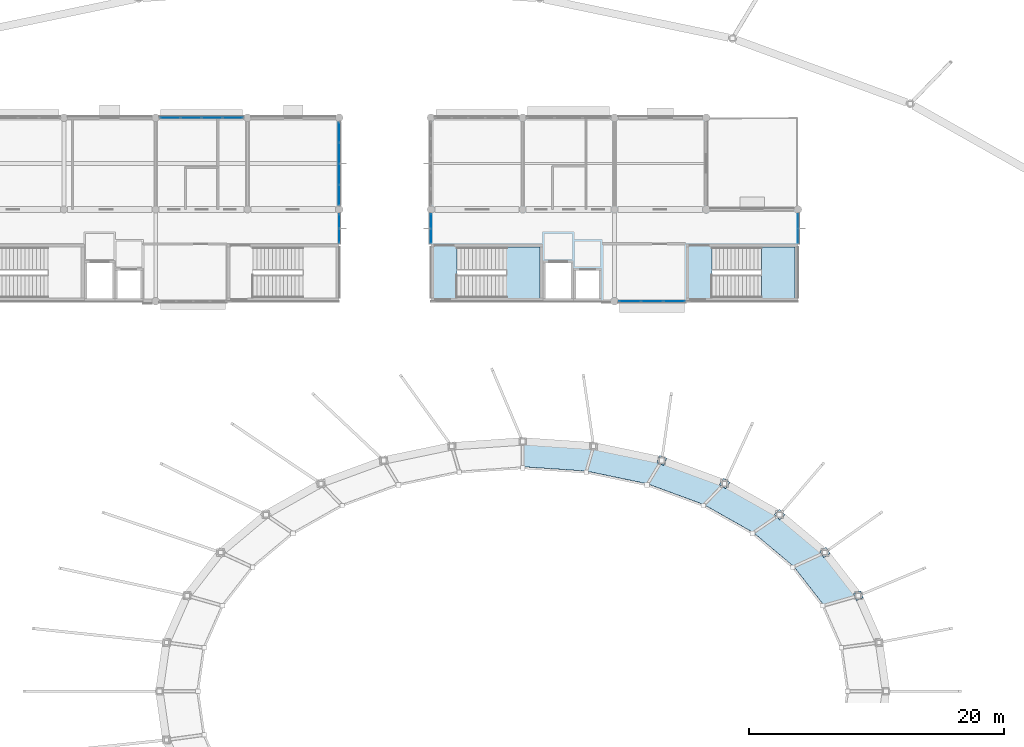
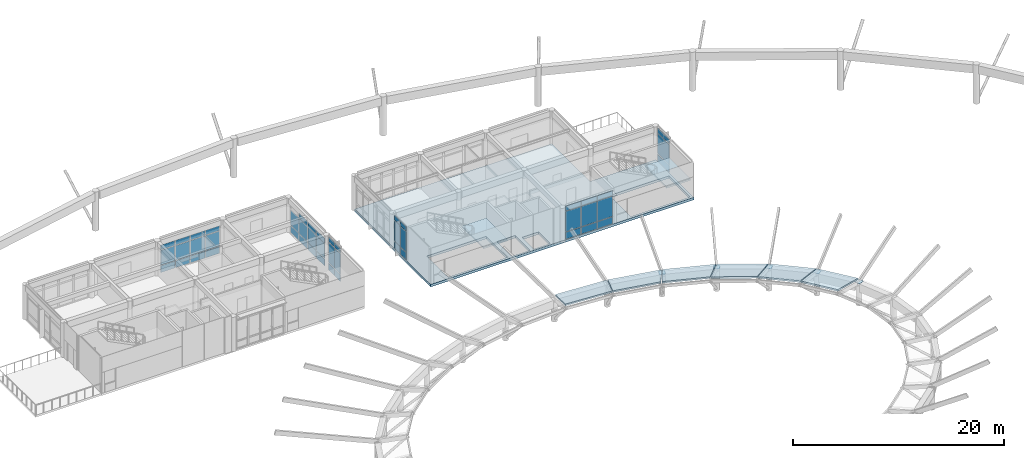
# One storey, part 16 of 37: 52 plates, 9 slabs, 8 elements without a shape of their own.
"""IFC4 building model written with IfcOpenShell, lengths in metres."""

from ifc_helpers import new_model, si_unit, direction, frame, origin, origin_2d, place, context, subcontext, project, spatial, polyline, rectangle, outline, extrude, material, layer, layer_set, type_object, element, aggregate, save


model = new_model("IFC4")

# Units and contexts
model_context = context("Model", 3, precision=1e-05, world=origin(), true_north=direction((0.0, 1.0)))
body_context = subcontext(model_context, "Body", "Model", "MODEL_VIEW")
ifc_project = project(units=[si_unit("LENGTHUNIT", "METRE"), si_unit("AREAUNIT", "SQUARE_METRE"), si_unit("VOLUMEUNIT", "CUBIC_METRE"), si_unit("PLANEANGLEUNIT", "RADIAN"), si_unit("MASSUNIT", "GRAM", prefix="KILO")], contexts=[model_context])

# Site, building, storey
site_placement = place(None, origin())
site = spatial("IfcSite", under=ifc_project, at=site_placement, CompositionType="ELEMENT")
building_placement = place(site_placement, origin())
building = spatial("IfcBuilding", under=site, at=building_placement, Name="Namkhue Oval Health Centre", CompositionType="ELEMENT")
storey_placement = place(building_placement, frame((0.0, 0.0, 22.199951171875)))
storey = spatial("IfcBuildingStorey", under=building, at=storey_placement, Name="L05", CompositionType="ELEMENT", Elevation=22.199951171875)

# Curtain wall, plates
ifc_material_1 = material(Name="Anodised aluminium EN AW-6063 T6", Category="aluminium")
ifc_layer_1 = layer(ifc_material_1, 0.159912109375)
ifc_layer_set_1 = layer_set([ifc_layer_1], Name="Anodised aluminium EN AW-6063 T6")
curtain_wall_type_1 = type_object("IfcCurtainWallType", Name="UNITISED CURTAIN WALL M1350", PredefinedType="NOTDEFINED", material=ifc_layer_set_1)
curtain_wall_1_placement = place(storey_placement, origin())
curtain_wall_1 = element("IfcCurtainWall", 1, at=curtain_wall_1_placement, inside=storey, type_object=curtain_wall_type_1, Name="Volume V2 L05 Unitised Curtain Wall 86", PredefinedType="NOTDEFINED")
ifc_material_2 = material(Name="Thermally broken low-E laminated double glazing", Category="glass")
ifc_layer_2 = layer(ifc_material_2, 0.028076171875)
ifc_layer_set_2 = layer_set([ifc_layer_2], Name="Thermally broken low-E laminated double glazing")
plate_type_1 = type_object("IfcPlateType", Name="CURTAIN WALL GLAZED PANEL 28", PredefinedType="CURTAIN_PANEL", material=ifc_layer_set_2)
plate_1_placement = place(storey_placement, frame((86.39990234375, 95.12890625, 0.074951171875), z_axis=(0.0, 0.0, 1.0), x_axis=(0.0, 1.0, 0.0)))
plate_1 = element("IfcPlate", 2, at=plate_1_placement, type_object=plate_type_1, Name="CW-02 panel 1.1", PredefinedType="CURTAIN_PANEL", context=body_context, shape_type="SweptSolid", body=[
    extrude(rectangle(XDim=1.073974609375, YDim=0.028076171875, at=origin_2d()), origin(), (0.0, 0.0, 1.0), 0.78759765625),
])
plate_2_placement = place(storey_placement, frame((86.39990234375, 95.12890625, 0.9375), z_axis=(0.0, 0.0, 1.0), x_axis=(0.0, 1.0, 0.0)))
plate_2 = element("IfcPlate", 3, at=plate_2_placement, type_object=plate_type_1, Name="CW-02 panel 1.2", PredefinedType="CURTAIN_PANEL", context=body_context, shape_type="SweptSolid", body=[
    extrude(rectangle(XDim=1.073974609375, YDim=0.028076171875, at=origin_2d()), origin(), (0.0, 0.0, 1.0), 2.35009765625),
])
plate_3_placement = place(storey_placement, frame((86.39990234375, 95.12890625, 3.362548828125), z_axis=(0.0, 0.0, 1.0), x_axis=(0.0, 1.0, 0.0)))
plate_3 = element("IfcPlate", 4, at=plate_3_placement, type_object=plate_type_1, Name="CW-02 panel 1.3", PredefinedType="CURTAIN_PANEL", context=body_context, shape_type="SweptSolid", body=[
    extrude(rectangle(XDim=1.073974609375, YDim=0.028076171875, at=origin_2d()), origin(), (0.0, 0.0, 1.0), 0.53759765625),
])
plate_4_placement = place(storey_placement, frame((86.39990234375, 96.278076171875, 0.074951171875), z_axis=(0.0, 0.0, 1.0), x_axis=(0.0, 1.0, 0.0)))
plate_4 = element("IfcPlate", 5, at=plate_4_placement, type_object=plate_type_1, Name="CW-02 panel 2.1", PredefinedType="CURTAIN_PANEL", context=body_context, shape_type="SweptSolid", body=[
    extrude(rectangle(XDim=1.073974609375, YDim=0.028076171875, at=origin_2d()), origin(), (0.0, 0.0, 1.0), 0.78759765625),
])
plate_5_placement = place(storey_placement, frame((86.39990234375, 96.278076171875, 0.9375), z_axis=(0.0, 0.0, 1.0), x_axis=(0.0, 1.0, 0.0)))
plate_5 = element("IfcPlate", 6, at=plate_5_placement, type_object=plate_type_1, Name="CW-02 panel 2.2", PredefinedType="CURTAIN_PANEL", context=body_context, shape_type="SweptSolid", body=[
    extrude(rectangle(XDim=1.073974609375, YDim=0.028076171875, at=origin_2d()), origin(), (0.0, 0.0, 1.0), 2.35009765625),
])
plate_6_placement = place(storey_placement, frame((86.39990234375, 96.278076171875, 3.362548828125), z_axis=(0.0, 0.0, 1.0), x_axis=(0.0, 1.0, 0.0)))
plate_6 = element("IfcPlate", 7, at=plate_6_placement, type_object=plate_type_1, Name="CW-02 panel 2.3", PredefinedType="CURTAIN_PANEL", context=body_context, shape_type="SweptSolid", body=[
    extrude(rectangle(XDim=1.073974609375, YDim=0.028076171875, at=origin_2d()), origin(), (0.0, 0.0, 1.0), 0.53759765625),
])
aggregate(curtain_wall_1, [plate_1, plate_2, plate_3, plate_4, plate_5, plate_6])

ifc_layer_3 = layer(ifc_material_1, 0.159912109375)
ifc_layer_set_3 = layer_set([ifc_layer_3], Name="Anodised aluminium EN AW-6063 T6")
curtain_wall_type_2 = type_object("IfcCurtainWallType", Name="UNITISED CURTAIN WALL M1600", PredefinedType="NOTDEFINED", material=ifc_layer_set_3)
curtain_wall_2_placement = place(storey_placement, origin())
curtain_wall_2 = element("IfcCurtainWall", 8, at=curtain_wall_2_placement, inside=storey, type_object=curtain_wall_type_2, Name="Volume V3 L05 Unitised Curtain Wall 130", PredefinedType="NOTDEFINED")
plate_7_placement = place(storey_placement, frame((109.20751953125, 90.0, 0.074951171875), z_axis=(0.0, 0.0, 1.0), x_axis=(1.0, 0.0, 0.0)))
plate_7 = element("IfcPlate", 9, at=plate_7_placement, type_object=plate_type_1, Name="CW-04 panel 1.1", PredefinedType="CURTAIN_PANEL", context=body_context, shape_type="SweptSolid", body=[
    extrude(rectangle(XDim=1.645263671875, YDim=0.028076171875, at=origin_2d()), origin(), (0.0, 0.0, 1.0), 0.78759765625),
])
plate_8_placement = place(storey_placement, frame((109.20751953125, 90.0, 0.9375), z_axis=(0.0, 0.0, 1.0), x_axis=(1.0, 0.0, 0.0)))
plate_8 = element("IfcPlate", 10, at=plate_8_placement, type_object=plate_type_1, Name="CW-04 panel 1.2", PredefinedType="CURTAIN_PANEL", context=body_context, shape_type="SweptSolid", body=[
    extrude(rectangle(XDim=1.645263671875, YDim=0.028076171875, at=origin_2d()), origin(), (0.0, 0.0, 1.0), 2.344970703125),
])
plate_9_placement = place(storey_placement, frame((109.20751953125, 90.0, 3.357421875), z_axis=(0.0, 0.0, 1.0), x_axis=(1.0, 0.0, 0.0)))
plate_9 = element("IfcPlate", 11, at=plate_9_placement, type_object=plate_type_1, Name="CW-04 panel 1.3", PredefinedType="CURTAIN_PANEL", context=body_context, shape_type="SweptSolid", body=[
    extrude(rectangle(XDim=1.645263671875, YDim=0.028076171875, at=origin_2d()), origin(), (0.0, 0.0, 1.0), 0.53759765625),
])
plate_10_placement = place(storey_placement, frame((110.946533203125, 90.0, 0.074951171875), z_axis=(0.0, 0.0, 1.0), x_axis=(1.0, 0.0, 0.0)))
plate_10 = element("IfcPlate", 12, at=plate_10_placement, type_object=plate_type_1, Name="CW-04 panel 2.1", PredefinedType="CURTAIN_PANEL", context=body_context, shape_type="SweptSolid", body=[
    extrude(rectangle(XDim=1.6826171875, YDim=0.028076171875, at=origin_2d()), origin(), (0.0, 0.0, 1.0), 0.78759765625),
])
plate_11_placement = place(storey_placement, frame((110.946533203125, 90.0, 0.9375), z_axis=(0.0, 0.0, 1.0), x_axis=(1.0, 0.0, 0.0)))
plate_11 = element("IfcPlate", 13, at=plate_11_placement, type_object=plate_type_1, Name="CW-04 panel 2.2", PredefinedType="CURTAIN_PANEL", context=body_context, shape_type="SweptSolid", body=[
    extrude(rectangle(XDim=1.6826171875, YDim=0.028076171875, at=origin_2d()), origin(), (0.0, 0.0, 1.0), 2.344970703125),
])
plate_12_placement = place(storey_placement, frame((110.946533203125, 90.0, 3.357421875), z_axis=(0.0, 0.0, 1.0), x_axis=(1.0, 0.0, 0.0)))
plate_12 = element("IfcPlate", 14, at=plate_12_placement, type_object=plate_type_1, Name="CW-04 panel 2.3", PredefinedType="CURTAIN_PANEL", context=body_context, shape_type="SweptSolid", body=[
    extrude(rectangle(XDim=1.6826171875, YDim=0.028076171875, at=origin_2d()), origin(), (0.0, 0.0, 1.0), 0.53759765625),
])
plate_13_placement = place(storey_placement, frame((112.685302734375, 90.0, 0.074951171875), z_axis=(0.0, 0.0, 1.0), x_axis=(1.0, 0.0, 0.0)))
plate_13 = element("IfcPlate", 15, at=plate_13_placement, type_object=plate_type_1, Name="CW-04 panel 3.1", PredefinedType="CURTAIN_PANEL", context=body_context, shape_type="SweptSolid", body=[
    extrude(rectangle(XDim=1.645263671875, YDim=0.028076171875, at=origin_2d()), origin(), (0.0, 0.0, 1.0), 0.78759765625),
])
plate_14_placement = place(storey_placement, frame((112.685302734375, 90.0, 0.9375), z_axis=(0.0, 0.0, 1.0), x_axis=(1.0, 0.0, 0.0)))
plate_14 = element("IfcPlate", 16, at=plate_14_placement, type_object=plate_type_1, Name="CW-04 panel 3.2", PredefinedType="CURTAIN_PANEL", context=body_context, shape_type="SweptSolid", body=[
    extrude(rectangle(XDim=1.645263671875, YDim=0.028076171875, at=origin_2d()), origin(), (0.0, 0.0, 1.0), 2.344970703125),
])
plate_15_placement = place(storey_placement, frame((112.685302734375, 90.0, 3.357421875), z_axis=(0.0, 0.0, 1.0), x_axis=(1.0, 0.0, 0.0)))
plate_15 = element("IfcPlate", 17, at=plate_15_placement, type_object=plate_type_1, Name="CW-04 panel 3.3", PredefinedType="CURTAIN_PANEL", context=body_context, shape_type="SweptSolid", body=[
    extrude(rectangle(XDim=1.645263671875, YDim=0.028076171875, at=origin_2d()), origin(), (0.0, 0.0, 1.0), 0.53759765625),
])
aggregate(curtain_wall_2, [plate_7, plate_8, plate_9, plate_10, plate_11, plate_12, plate_13, plate_14, plate_15])

ifc_layer_4 = layer(ifc_material_1, 0.159912109375)
ifc_layer_set_4 = layer_set([ifc_layer_4], Name="Anodised aluminium EN AW-6063 T6")
curtain_wall_type_3 = type_object("IfcCurtainWallType", Name="UNITISED CURTAIN WALL M1500", PredefinedType="NOTDEFINED", material=ifc_layer_set_4)
curtain_wall_3_placement = place(storey_placement, origin())
curtain_wall_3 = element("IfcCurtainWall", 18, at=curtain_wall_3_placement, inside=storey, type_object=curtain_wall_type_3, Name="Volume V2 L05 Unitised Curtain Wall 87", PredefinedType="NOTDEFINED")
ifc_material_3 = material(Name="Insulated anodised aluminium spandrel panel", Category="aluminium")
ifc_layer_5 = layer(ifc_material_3, 0.031982421875)
ifc_layer_set_5 = layer_set([ifc_layer_5], Name="Insulated anodised aluminium spandrel panel")
plate_type_2 = type_object("IfcPlateType", Name="CURTAIN WALL SPANDREL PANEL 32", PredefinedType="CURTAIN_PANEL", material=ifc_layer_set_5)
plate_16_placement = place(storey_placement, frame((86.39990234375, 98.3486328125, 0.06494140625), z_axis=(0.0, 0.0, 1.0), x_axis=(0.0, 1.0, 0.0)))
plate_16 = element("IfcPlate", 19, at=plate_16_placement, type_object=plate_type_2, Name="CW-03 panel 1.1", PredefinedType="CURTAIN_PANEL", context=body_context, shape_type="SweptSolid", body=[
    extrude(rectangle(XDim=1.547607421875, YDim=0.031982421875, at=origin_2d()), origin(), (0.0, 0.0, 1.0), 0.802490234375),
])
plate_17_placement = place(storey_placement, frame((86.39990234375, 98.3486328125, 0.9326171875), z_axis=(0.0, 0.0, 1.0), x_axis=(0.0, 1.0, 0.0)))
plate_17 = element("IfcPlate", 20, at=plate_17_placement, type_object=plate_type_2, Name="CW-03 panel 1.2", PredefinedType="CURTAIN_PANEL", context=body_context, shape_type="SweptSolid", body=[
    extrude(rectangle(XDim=1.547607421875, YDim=0.031982421875, at=origin_2d()), origin(), (0.0, 0.0, 1.0), 1.7099609375),
])
plate_18_placement = place(storey_placement, frame((86.39990234375, 98.3486328125, 2.70751953125), z_axis=(0.0, 0.0, 1.0), x_axis=(0.0, 1.0, 0.0)))
plate_18 = element("IfcPlate", 21, at=plate_18_placement, type_object=plate_type_2, Name="CW-03 panel 1.3", PredefinedType="CURTAIN_PANEL", context=body_context, shape_type="SweptSolid", body=[
    extrude(rectangle(XDim=1.547607421875, YDim=0.031982421875, at=origin_2d()), origin(), (0.0, 0.0, 1.0), 0.552490234375),
])
plate_19_placement = place(storey_placement, frame((86.39990234375, 99.9775390625, 0.06494140625), z_axis=(0.0, 0.0, 1.0), x_axis=(0.0, 1.0, 0.0)))
plate_19 = element("IfcPlate", 22, at=plate_19_placement, type_object=plate_type_2, Name="CW-03 panel 2.1", PredefinedType="CURTAIN_PANEL", context=body_context, shape_type="SweptSolid", body=[
    extrude(rectangle(XDim=1.580078125, YDim=0.031982421875, at=origin_2d()), origin(), (0.0, 0.0, 1.0), 0.802490234375),
])
plate_20_placement = place(storey_placement, frame((86.39990234375, 99.9775390625, 0.9326171875), z_axis=(0.0, 0.0, 1.0), x_axis=(0.0, 1.0, 0.0)))
plate_20 = element("IfcPlate", 23, at=plate_20_placement, type_object=plate_type_2, Name="CW-03 panel 2.2", PredefinedType="CURTAIN_PANEL", context=body_context, shape_type="SweptSolid", body=[
    extrude(rectangle(XDim=1.580078125, YDim=0.031982421875, at=origin_2d()), origin(), (0.0, 0.0, 1.0), 1.7099609375),
])
plate_21_placement = place(storey_placement, frame((86.39990234375, 99.9775390625, 2.70751953125), z_axis=(0.0, 0.0, 1.0), x_axis=(0.0, 1.0, 0.0)))
plate_21 = element("IfcPlate", 24, at=plate_21_placement, type_object=plate_type_2, Name="CW-03 panel 2.3", PredefinedType="CURTAIN_PANEL", context=body_context, shape_type="SweptSolid", body=[
    extrude(rectangle(XDim=1.580078125, YDim=0.031982421875, at=origin_2d()), origin(), (0.0, 0.0, 1.0), 0.552490234375),
])
plate_22_placement = place(storey_placement, frame((86.39990234375, 101.62255859375, 0.06494140625), z_axis=(0.0, 0.0, 1.0), x_axis=(0.0, 1.0, 0.0)))
plate_22 = element("IfcPlate", 25, at=plate_22_placement, type_object=plate_type_2, Name="CW-03 panel 3.1", PredefinedType="CURTAIN_PANEL", context=body_context, shape_type="SweptSolid", body=[
    extrude(rectangle(XDim=1.580078125, YDim=0.031982421875, at=origin_2d()), origin(), (0.0, 0.0, 1.0), 0.802490234375),
])
plate_23_placement = place(storey_placement, frame((86.39990234375, 101.62255859375, 0.9326171875), z_axis=(0.0, 0.0, 1.0), x_axis=(0.0, 1.0, 0.0)))
plate_23 = element("IfcPlate", 26, at=plate_23_placement, type_object=plate_type_2, Name="CW-03 panel 3.2", PredefinedType="CURTAIN_PANEL", context=body_context, shape_type="SweptSolid", body=[
    extrude(rectangle(XDim=1.580078125, YDim=0.031982421875, at=origin_2d()), origin(), (0.0, 0.0, 1.0), 1.7099609375),
])
plate_24_placement = place(storey_placement, frame((86.39990234375, 101.62255859375, 2.70751953125), z_axis=(0.0, 0.0, 1.0), x_axis=(0.0, 1.0, 0.0)))
plate_24 = element("IfcPlate", 27, at=plate_24_placement, type_object=plate_type_2, Name="CW-03 panel 3.3", PredefinedType="CURTAIN_PANEL", context=body_context, shape_type="SweptSolid", body=[
    extrude(rectangle(XDim=1.580078125, YDim=0.031982421875, at=origin_2d()), origin(), (0.0, 0.0, 1.0), 0.552490234375),
])
plate_25_placement = place(storey_placement, frame((86.39990234375, 103.251220703125, 0.06494140625), z_axis=(0.0, 0.0, 1.0), x_axis=(0.0, 1.0, 0.0)))
plate_25 = element("IfcPlate", 28, at=plate_25_placement, type_object=plate_type_2, Name="CW-03 panel 4.1", PredefinedType="CURTAIN_PANEL", context=body_context, shape_type="SweptSolid", body=[
    extrude(rectangle(XDim=1.547607421875, YDim=0.031982421875, at=origin_2d()), origin(), (0.0, 0.0, 1.0), 0.802490234375),
])
plate_26_placement = place(storey_placement, frame((86.39990234375, 103.251220703125, 0.9326171875), z_axis=(0.0, 0.0, 1.0), x_axis=(0.0, 1.0, 0.0)))
plate_26 = element("IfcPlate", 29, at=plate_26_placement, type_object=plate_type_2, Name="CW-03 panel 4.2", PredefinedType="CURTAIN_PANEL", context=body_context, shape_type="SweptSolid", body=[
    extrude(rectangle(XDim=1.547607421875, YDim=0.031982421875, at=origin_2d()), origin(), (0.0, 0.0, 1.0), 1.7099609375),
])
aggregate(curtain_wall_3, [plate_16, plate_17, plate_18, plate_19, plate_20, plate_21, plate_22, plate_23, plate_24, plate_25, plate_26])

ifc_layer_6 = layer(ifc_material_1, 0.159912109375)
ifc_layer_set_6 = layer_set([ifc_layer_6], Name="Anodised aluminium EN AW-6063 T6")
curtain_wall_type_4 = type_object("IfcCurtainWallType", Name="UNITISED CURTAIN WALL M1800", PredefinedType="NOTDEFINED", material=ifc_layer_set_6)
curtain_wall_4_placement = place(storey_placement, origin())
curtain_wall_4 = element("IfcCurtainWall", 30, at=curtain_wall_4_placement, inside=storey, type_object=curtain_wall_type_4, Name="Volume V3 L05 Unitised Curtain Wall 131", PredefinedType="NOTDEFINED")
plate_27_placement = place(storey_placement, frame((122.39990234375, 95.70361328125, 0.06494140625), z_axis=(0.0, 0.0, 1.0), x_axis=(0.0, 1.0, 0.0)))
plate_27 = element("IfcPlate", 31, at=plate_27_placement, type_object=plate_type_2, Name="CW-05 panel 1.1", PredefinedType="CURTAIN_PANEL", context=body_context, shape_type="SweptSolid", body=[
    extrude(rectangle(XDim=2.242919921875, YDim=0.031982421875, at=origin_2d()), origin(), (0.0, 0.0, 1.0), 0.802490234375),
])
plate_28_placement = place(storey_placement, frame((122.39990234375, 95.70361328125, 0.9326171875), z_axis=(0.0, 0.0, 1.0), x_axis=(0.0, 1.0, 0.0)))
plate_28 = element("IfcPlate", 32, at=plate_28_placement, type_object=plate_type_2, Name="CW-05 panel 1.2", PredefinedType="CURTAIN_PANEL", context=body_context, shape_type="SweptSolid", body=[
    extrude(rectangle(XDim=2.242919921875, YDim=0.031982421875, at=origin_2d()), origin(), (0.0, 0.0, 1.0), 2.35498046875),
])
plate_29_placement = place(storey_placement, frame((122.39990234375, 95.70361328125, 3.3525390625), z_axis=(0.0, 0.0, 1.0), x_axis=(0.0, 1.0, 0.0)))
plate_29 = element("IfcPlate", 33, at=plate_29_placement, type_object=plate_type_2, Name="CW-05 panel 1.3", PredefinedType="CURTAIN_PANEL", context=body_context, shape_type="SweptSolid", body=[
    extrude(rectangle(XDim=2.242919921875, YDim=0.031982421875, at=origin_2d()), origin(), (0.0, 0.0, 1.0), 0.552490234375),
])
aggregate(curtain_wall_4, [plate_27, plate_28, plate_29])

curtain_wall_5_placement = place(storey_placement, origin())
curtain_wall_5 = element("IfcCurtainWall", 34, at=curtain_wall_5_placement, inside=storey, type_object=curtain_wall_type_3, Name="Volume V3 L05 Unitised Curtain Wall 135", PredefinedType="NOTDEFINED")
plate_30_placement = place(storey_placement, frame((93.60009765625, 96.280517578125, 0.06494140625), z_axis=(0.0, 0.0, 1.0), x_axis=(0.0, -1.0, 0.0)))
plate_30 = element("IfcPlate", 35, at=plate_30_placement, type_object=plate_type_2, Name="CW-03 panel 1.1", PredefinedType="CURTAIN_PANEL", context=body_context, shape_type="SweptSolid", body=[
    extrude(rectangle(XDim=1.089111328125, YDim=0.031982421875, at=origin_2d()), origin(), (0.0, 0.0, 1.0), 0.802490234375),
])
plate_31_placement = place(storey_placement, frame((93.60009765625, 96.280517578125, 0.9326171875), z_axis=(0.0, 0.0, 1.0), x_axis=(0.0, -1.0, 0.0)))
plate_31 = element("IfcPlate", 36, at=plate_31_placement, type_object=plate_type_2, Name="CW-03 panel 1.2", PredefinedType="CURTAIN_PANEL", context=body_context, shape_type="SweptSolid", body=[
    extrude(rectangle(XDim=1.089111328125, YDim=0.031982421875, at=origin_2d()), origin(), (0.0, 0.0, 1.0), 2.35498046875),
])
plate_32_placement = place(storey_placement, frame((93.60009765625, 96.280517578125, 3.3525390625), z_axis=(0.0, 0.0, 1.0), x_axis=(0.0, -1.0, 0.0)))
plate_32 = element("IfcPlate", 37, at=plate_32_placement, type_object=plate_type_2, Name="CW-03 panel 1.3", PredefinedType="CURTAIN_PANEL", context=body_context, shape_type="SweptSolid", body=[
    extrude(rectangle(XDim=1.089111328125, YDim=0.031982421875, at=origin_2d()), origin(), (0.0, 0.0, 1.0), 0.552490234375),
])
plate_33_placement = place(storey_placement, frame((93.60009765625, 95.12646484375, 0.06494140625), z_axis=(0.0, 0.0, 1.0), x_axis=(0.0, -1.0, 0.0)))
plate_33 = element("IfcPlate", 38, at=plate_33_placement, type_object=plate_type_2, Name="CW-03 panel 2.1", PredefinedType="CURTAIN_PANEL", context=body_context, shape_type="SweptSolid", body=[
    extrude(rectangle(XDim=1.089111328125, YDim=0.031982421875, at=origin_2d()), origin(), (0.0, 0.0, 1.0), 0.802490234375),
])
plate_34_placement = place(storey_placement, frame((93.60009765625, 95.12646484375, 0.9326171875), z_axis=(0.0, 0.0, 1.0), x_axis=(0.0, -1.0, 0.0)))
plate_34 = element("IfcPlate", 39, at=plate_34_placement, type_object=plate_type_2, Name="CW-03 panel 2.2", PredefinedType="CURTAIN_PANEL", context=body_context, shape_type="SweptSolid", body=[
    extrude(rectangle(XDim=1.089111328125, YDim=0.031982421875, at=origin_2d()), origin(), (0.0, 0.0, 1.0), 2.35498046875),
])
plate_35_placement = place(storey_placement, frame((93.60009765625, 95.12646484375, 3.3525390625), z_axis=(0.0, 0.0, 1.0), x_axis=(0.0, -1.0, 0.0)))
plate_35 = element("IfcPlate", 40, at=plate_35_placement, type_object=plate_type_2, Name="CW-03 panel 2.3", PredefinedType="CURTAIN_PANEL", context=body_context, shape_type="SweptSolid", body=[
    extrude(rectangle(XDim=1.089111328125, YDim=0.031982421875, at=origin_2d()), origin(), (0.0, 0.0, 1.0), 0.552490234375),
])
aggregate(curtain_wall_5, [plate_30, plate_31, plate_32, plate_33, plate_34, plate_35])

curtain_wall_6_placement = place(storey_placement, origin())
curtain_wall_6 = element("IfcCurtainWall", 41, at=curtain_wall_6_placement, inside=storey, type_object=curtain_wall_type_2, Name="Volume V2 L05 Unitised Curtain Wall 88", PredefinedType="NOTDEFINED")
ifc_layer_7 = layer(ifc_material_3, 0.035888671875)
ifc_layer_set_7 = layer_set([ifc_layer_7], Name="Insulated anodised aluminium spandrel panel")
plate_type_3 = type_object("IfcPlateType", Name="CURTAIN WALL SPANDREL PANEL 36", PredefinedType="CURTAIN_PANEL", material=ifc_layer_set_7)
plate_36_placement = place(storey_placement, frame((78.048828125, 104.39990234375, 0.074951171875), z_axis=(0.0, 0.0, 1.0), x_axis=(-1.0, 0.0, 0.0)))
plate_36 = element("IfcPlate", 42, at=plate_36_placement, type_object=plate_type_3, Name="CW-04 panel 1.1", PredefinedType="CURTAIN_PANEL", context=body_context, shape_type="SweptSolid", body=[
    extrude(rectangle(XDim=1.532470703125, YDim=0.035888671875, at=origin_2d()), origin(), (0.0, 0.0, 1.0), 0.78759765625),
])
plate_37_placement = place(storey_placement, frame((78.048828125, 104.39990234375, 0.9375), z_axis=(0.0, 0.0, 1.0), x_axis=(-1.0, 0.0, 0.0)))
plate_37 = element("IfcPlate", 43, at=plate_37_placement, type_object=plate_type_3, Name="CW-04 panel 1.2", PredefinedType="CURTAIN_PANEL", context=body_context, shape_type="SweptSolid", body=[
    extrude(rectangle(XDim=1.532470703125, YDim=0.035888671875, at=origin_2d()), origin(), (0.0, 0.0, 1.0), 1.699951171875),
])
plate_38_placement = place(storey_placement, frame((78.048828125, 104.39990234375, 2.71240234375), z_axis=(0.0, 0.0, 1.0), x_axis=(-1.0, 0.0, 0.0)))
plate_38 = element("IfcPlate", 44, at=plate_38_placement, type_object=plate_type_3, Name="CW-04 panel 1.3", PredefinedType="CURTAIN_PANEL", context=body_context, shape_type="SweptSolid", body=[
    extrude(rectangle(XDim=1.532470703125, YDim=0.035888671875, at=origin_2d()), origin(), (0.0, 0.0, 1.0), 0.53759765625),
])
plate_39_placement = place(storey_placement, frame((76.422607421875, 104.39990234375, 0.074951171875), z_axis=(0.0, 0.0, 1.0), x_axis=(-1.0, 0.0, 0.0)))
plate_39 = element("IfcPlate", 45, at=plate_39_placement, type_object=plate_type_3, Name="CW-04 panel 2.1", PredefinedType="CURTAIN_PANEL", context=body_context, shape_type="SweptSolid", body=[
    extrude(rectangle(XDim=1.570068359375, YDim=0.035888671875, at=origin_2d()), origin(), (0.0, 0.0, 1.0), 0.78759765625),
])
plate_40_placement = place(storey_placement, frame((76.422607421875, 104.39990234375, 0.9375), z_axis=(0.0, 0.0, 1.0), x_axis=(-1.0, 0.0, 0.0)))
plate_40 = element("IfcPlate", 46, at=plate_40_placement, type_object=plate_type_3, Name="CW-04 panel 2.2", PredefinedType="CURTAIN_PANEL", context=body_context, shape_type="SweptSolid", body=[
    extrude(rectangle(XDim=1.570068359375, YDim=0.035888671875, at=origin_2d()), origin(), (0.0, 0.0, 1.0), 1.699951171875),
])
plate_41_placement = place(storey_placement, frame((76.422607421875, 104.39990234375, 2.71240234375), z_axis=(0.0, 0.0, 1.0), x_axis=(-1.0, 0.0, 0.0)))
plate_41 = element("IfcPlate", 47, at=plate_41_placement, type_object=plate_type_3, Name="CW-04 panel 2.3", PredefinedType="CURTAIN_PANEL", context=body_context, shape_type="SweptSolid", body=[
    extrude(rectangle(XDim=1.570068359375, YDim=0.035888671875, at=origin_2d()), origin(), (0.0, 0.0, 1.0), 0.53759765625),
])
plate_42_placement = place(storey_placement, frame((74.777587890625, 104.39990234375, 0.074951171875), z_axis=(0.0, 0.0, 1.0), x_axis=(-1.0, 0.0, 0.0)))
plate_42 = element("IfcPlate", 48, at=plate_42_placement, type_object=plate_type_3, Name="CW-04 panel 3.1", PredefinedType="CURTAIN_PANEL", context=body_context, shape_type="SweptSolid", body=[
    extrude(rectangle(XDim=1.570068359375, YDim=0.035888671875, at=origin_2d()), origin(), (0.0, 0.0, 1.0), 0.78759765625),
])
plate_43_placement = place(storey_placement, frame((74.777587890625, 104.39990234375, 0.9375), z_axis=(0.0, 0.0, 1.0), x_axis=(-1.0, 0.0, 0.0)))
plate_43 = element("IfcPlate", 49, at=plate_43_placement, type_object=plate_type_3, Name="CW-04 panel 3.2", PredefinedType="CURTAIN_PANEL", context=body_context, shape_type="SweptSolid", body=[
    extrude(rectangle(XDim=1.570068359375, YDim=0.035888671875, at=origin_2d()), origin(), (0.0, 0.0, 1.0), 1.699951171875),
])
plate_44_placement = place(storey_placement, frame((74.777587890625, 104.39990234375, 2.71240234375), z_axis=(0.0, 0.0, 1.0), x_axis=(-1.0, 0.0, 0.0)))
plate_44 = element("IfcPlate", 50, at=plate_44_placement, type_object=plate_type_3, Name="CW-04 panel 3.3", PredefinedType="CURTAIN_PANEL", context=body_context, shape_type="SweptSolid", body=[
    extrude(rectangle(XDim=1.570068359375, YDim=0.035888671875, at=origin_2d()), origin(), (0.0, 0.0, 1.0), 0.53759765625),
])
plate_45_placement = place(storey_placement, frame((73.1513671875, 104.39990234375, 0.074951171875), z_axis=(0.0, 0.0, 1.0), x_axis=(-1.0, 0.0, 0.0)))
plate_45 = element("IfcPlate", 51, at=plate_45_placement, type_object=plate_type_3, Name="CW-04 panel 4.1", PredefinedType="CURTAIN_PANEL", context=body_context, shape_type="SweptSolid", body=[
    extrude(rectangle(XDim=1.532470703125, YDim=0.035888671875, at=origin_2d()), origin(), (0.0, 0.0, 1.0), 0.78759765625),
])
plate_46_placement = place(storey_placement, frame((73.1513671875, 104.39990234375, 0.9375), z_axis=(0.0, 0.0, 1.0), x_axis=(-1.0, 0.0, 0.0)))
plate_46 = element("IfcPlate", 52, at=plate_46_placement, type_object=plate_type_3, Name="CW-04 panel 4.2", PredefinedType="CURTAIN_PANEL", context=body_context, shape_type="SweptSolid", body=[
    extrude(rectangle(XDim=1.532470703125, YDim=0.035888671875, at=origin_2d()), origin(), (0.0, 0.0, 1.0), 1.699951171875),
])
plate_47_placement = place(storey_placement, frame((73.1513671875, 104.39990234375, 2.71240234375), z_axis=(0.0, 0.0, 1.0), x_axis=(-1.0, 0.0, 0.0)))
plate_47 = element("IfcPlate", 53, at=plate_47_placement, type_object=plate_type_3, Name="CW-04 panel 4.3", PredefinedType="CURTAIN_PANEL", context=body_context, shape_type="SweptSolid", body=[
    extrude(rectangle(XDim=1.532470703125, YDim=0.035888671875, at=origin_2d()), origin(), (0.0, 0.0, 1.0), 0.53759765625),
])
aggregate(curtain_wall_6, [plate_36, plate_37, plate_38, plate_39, plate_40, plate_41, plate_42, plate_43, plate_44, plate_45, plate_46, plate_47])

# Plates
ifc_material_4 = material(Name="Structural steel EN 10025-2 S355JR (TCVN 5575:2024)", Category="steel")
ifc_layer_8 = layer(ifc_material_4, 0.02490234375)
ifc_layer_set_8 = layer_set([ifc_layer_8], Name="Structural steel EN 10025-2 S355JR (TCVN 5575:2024)")
plate_type_4 = type_object("IfcPlateType", Name="GRIDSHELL GUSSET PLATE 600X600X25", PredefinedType="USERDEFINED", material=ifc_layer_set_8)
for number, where, z_axis, x_axis, name in (
    (54, (127.1416015625, 66.9013671875, 2.607666015625), (0.0, 0.0, 1.0), (0.923879532511, 0.382683432365, 0.0), "Gridshell Node Gusset Plate K6-3"),
    (55, (124.5068359375, 70.290283203125, 2.607666015625), (0.0, 0.0, 1.0), (0.831469612303, 0.55557023302, 0.0), "Gridshell Node Gusset Plate K6-4"),
    (56, (120.9609375, 73.2607421875, 2.607666015625), (0.0, 0.0, 1.0), (0.707106781187, 0.707106781187, 0.0), "Gridshell Node Gusset Plate K6-5"),
    (57, (116.640380859375, 75.698486328125, 2.607666015625), (0.0, 0.0, 1.0), (0.55557023302, 0.831469612303, 0.0), "Gridshell Node Gusset Plate K6-6"),
    (58, (111.711181640625, 77.509765625, 2.607666015625), (0.0, 0.0, 1.0), (0.382683432365, 0.923879532511, 0.0), "Gridshell Node Gusset Plate K6-7"),
):
    element("IfcPlate", number, at=place(storey_placement, frame(where, z_axis=z_axis, x_axis=x_axis)), inside=storey, type_object=plate_type_4, Name=name, ObjectType="GUSSET_PLATE", PredefinedType="USERDEFINED", context=body_context, shape_type="SweptSolid", body=[
        extrude(rectangle(XDim=0.60009765625, YDim=0.60009765625, at=origin_2d()), origin(), (0.0, 0.0, 1.0), 0.02490234375),
    ])

# Slabs
ifc_material_5 = material(Name="Reinforced concrete C30/37 (TCVN B35)", Category="concrete")
ifc_layer_9 = layer(ifc_material_5, 0.18994140625)
ifc_layer_set_9 = layer_set([ifc_layer_9], Name="Reinforced concrete C30/37 (TCVN B35)")
slab_type_1 = type_object("IfcSlabType", Name="GRIDSHELL ROOF PANEL 190", PredefinedType="ROOF", material=ifc_layer_set_9)
slab_1_placement = place(storey_placement, frame((127.0205078125, 66.91064453125, 3.033447265625), z_axis=(0.011728895373, 0.009118420332, 0.999889637622), x_axis=(-0.613795334446, 0.789465190754, 4.65863e-07)))
element("IfcSlab", 59, at=slab_1_placement, inside=storey, type_object=slab_type_1, Name="Gridshell Planar Roof Panel K6-3", PredefinedType="ROOF", context=body_context, shape_type="SweptSolid", body=[
    extrude(outline(polyline([(0.0, 0.0), (4.188765789993292, -4.440892098500626e-16), (4.778240320913588, 2.5141550739281944), (1.013956869519586, 2.5144044635968648), (0.0, 0.0)])), origin(), (0.0, 0.0, -1.0), 0.18994140625),
])
slab_2_placement = place(storey_placement, frame((124.380615234375, 70.278564453125, 3.033447265625), z_axis=(0.010270193095, 0.012260247792, 0.999872096549), x_axis=(-0.766566498173, 0.642164935105, -3.15312e-07)))
element("IfcSlab", 60, at=slab_2_placement, inside=storey, type_object=slab_type_1, Name="Gridshell Planar Roof Panel K6-4", PredefinedType="ROOF", context=body_context, shape_type="SweptSolid", body=[
    extrude(outline(polyline([(0.0, 0.0), (4.517722583115056, 4.440892098500626e-16), (5.162799436596101, 2.3203871397691684), (1.1003349389657278, 2.320217980953424), (0.0, 0.0)])), origin(), (0.0, 0.0, -1.0), 0.18994140625),
])
slab_3_placement = place(storey_placement, frame((120.837890625, 73.22705078125, 3.03369140625), z_axis=(0.008419326636, 0.014923457333, 0.999853191904), x_axis=(-0.870961896566, 0.491350561952, 2.63586e-07)))
element("IfcSlab", 61, at=slab_3_placement, inside=storey, type_object=slab_type_1, Name="Gridshell Planar Roof Panel K6-5", PredefinedType="ROOF", context=body_context, shape_type="SweptSolid", body=[
    extrude(outline(polyline([(0.0, 0.0), (4.850509971667218, 0.0), (5.4169463757684815, 2.151424535578403), (1.0521362248472401, 2.151566297461753), (0.0, 0.0)])), origin(), (0.0, 0.0, -1.0), 0.18994140625),
])
slab_4_placement = place(storey_placement, frame((116.528564453125, 75.643798828125, 3.03369140625), z_axis=(0.0062455114, 0.016996063447, 0.999836050268), x_axis=(-0.938631477904, 0.344921655868, -7.6765e-08)))
element("IfcSlab", 62, at=slab_4_placement, inside=storey, type_object=slab_type_1, Name="Gridshell Planar Roof Panel K6-6", PredefinedType="ROOF", context=body_context, shape_type="SweptSolid", body=[
    extrude(outline(polyline([(0.0, 0.0), (5.140150471499766, 0.0), (5.529033581039766, 2.0224779335755847), (0.9005204323502548, 2.022436519829792), (0.0, 0.0)])), origin(), (0.0, 0.0, -1.0), 0.18994140625),
])
slab_5_placement = place(storey_placement, frame((111.618408203125, 77.437255859375, 3.03369140625), z_axis=(0.003859840141, 0.018508904332, 0.999821245071), x_axis=(-0.978937138918, 0.204161891761, -2.72108e-07)))
element("IfcSlab", 63, at=slab_5_placement, inside=storey, type_object=slab_type_1, Name="Gridshell Planar Roof Panel K6-7", PredefinedType="ROOF", context=body_context, shape_type="SweptSolid", body=[
    extrude(outline(polyline([(0.0, 0.0), (5.352484741937321, 0.0), (5.500000561392979, 1.9369769681754718), (0.6777570883231027, 1.936830535220263), (0.0, 0.0)])), origin(), (0.0, 0.0, -1.0), 0.18994140625),
])
slab_6_placement = place(storey_placement, frame((106.2939453125, 78.539794921875, 3.03369140625), z_axis=(0.001305487135, 0.019284779512, 0.99981317904), x_axis=(-0.997715626796, 0.067553889952, -2.57006e-07)))
element("IfcSlab", 64, at=slab_6_placement, inside=storey, type_object=slab_type_1, Name="Gridshell Planar Roof Panel K6-8", PredefinedType="ROOF", context=body_context, shape_type="SweptSolid", body=[
    extrude(outline(polyline([(0.0, 0.0), (5.464386997944738, 0.0), (5.336123657929109, 1.8946982853636485), (0.41179805447432644, 1.8945601525062812), (0.0, 0.0)])), origin(), (0.0, 0.0, -1.0), 0.18994140625),
])

# Stair, slab
stair_type = type_object("IfcStairType", Name="DOGLEG EXIT STAIR H4200", PredefinedType="HALF_TURN_STAIR", material=ifc_material_5)
stair_1_placement = place(storey_placement, origin())
stair_1 = element("IfcStair", 65, at=stair_1_placement, inside=storey, type_object=stair_type, Name="Protected Exit Stair ST-05 L05", PredefinedType="HALF_TURN_STAIR")
ifc_layer_10 = layer(ifc_material_5, 0.195068359375)
ifc_layer_set_10 = layer_set([ifc_layer_10], Name="Reinforced concrete C30/37 (TCVN B35)")
slab_type_2 = type_object("IfcSlabType", Name="STAIR LANDING SLAB 195", PredefinedType="LANDING", material=ifc_layer_set_10)
slab_7_placement = place(storey_placement, frame((0.0, 0.0, 1.905029296875)))
slab_7 = element("IfcSlab", 66, at=slab_7_placement, type_object=slab_type_2, Name="ST-05 landing 1", PredefinedType="LANDING", context=body_context, shape_type="SweptSolid", body=[
    extrude(outline(polyline([(99.544921875, 90.22509765625), (102.175048828125, 90.22509765625), (102.175048828125, 94.27490234375), (99.544921875, 94.27490234375), (99.544921875, 90.22509765625)])), origin(), (0.0, 0.0, 1.0), 0.195068359375),
])
aggregate(stair_1, [slab_7])

stair_2_placement = place(storey_placement, origin())
stair_2 = element("IfcStair", 67, at=stair_2_placement, inside=storey, type_object=stair_type, Name="Protected Exit Stair ST-06 L05", PredefinedType="HALF_TURN_STAIR")
slab_8_placement = place(storey_placement, frame((0.0, 0.0, 1.905029296875)))
slab_8 = element("IfcSlab", 68, at=slab_8_placement, type_object=slab_type_2, Name="ST-06 landing 1", PredefinedType="LANDING", context=body_context, shape_type="SweptSolid", body=[
    extrude(outline(polyline([(119.544921875, 90.22509765625), (122.175048828125, 90.22509765625), (122.175048828125, 94.27490234375), (119.544921875, 94.27490234375), (119.544921875, 90.22509765625)])), origin(), (0.0, 0.0, 1.0), 0.195068359375),
])
aggregate(stair_2, [slab_8])

# Slab
ifc_material_6 = material(Name="Reinforced concrete C35/45 (TCVN B40)", Category="concrete")
ifc_layer_11 = layer(ifc_material_6, 0.284912109375)
ifc_layer_set_11 = layer_set([ifc_layer_11], Name="Reinforced concrete C35/45 (TCVN B40)")
slab_type_3 = type_object("IfcSlabType", Name="SUSPENDED FLOOR SLAB 285", PredefinedType="FLOOR", material=ifc_layer_set_11)
slab_9_placement = place(storey_placement, frame((0.0, 0.0, -0.284912109375)))
element("IfcSlab", 69, at=slab_9_placement, inside=storey, type_object=slab_type_3, Name="Volume V3 L05 Suspended Floor Slab", PredefinedType="FLOOR", context=body_context, shape_type="SweptSolid", body=[
    extrude(outline(polyline([(93.60009765625, 90.0), (122.39990234375, 90.0), (122.39990234375, 97.199951171875), (115.199951171875, 97.199951171875), (115.199951171875, 104.39990234375), (93.60009765625, 104.39990234375), (93.60009765625, 90.0)]), holes=[polyline([(95.655029296875, 90.25), (102.14990234375, 90.25), (102.14990234375, 94.25), (95.655029296875, 94.25), (95.655029296875, 90.25)]), polyline([(115.655029296875, 90.25), (122.14990234375, 90.25), (122.14990234375, 94.25), (115.655029296875, 94.25), (115.655029296875, 90.25)]), polyline([(102.60009765625, 90.199951171875), (104.60009765625, 90.199951171875), (104.60009765625, 93.0), (102.60009765625, 93.0), (102.60009765625, 90.199951171875)]), polyline([(105.0, 90.199951171875), (106.800048828125, 90.199951171875), (106.800048828125, 92.39990234375), (105.0, 92.39990234375), (105.0, 90.199951171875)])]), origin(), (0.0, 0.0, 1.0), 0.284912109375),
])

save(model, "model.ifc")
